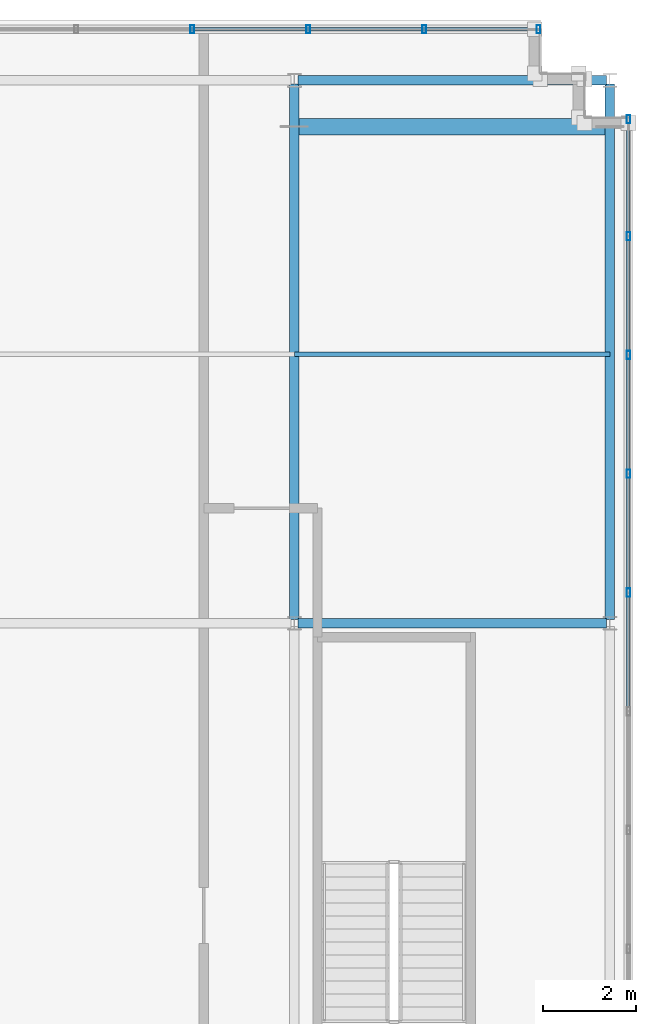
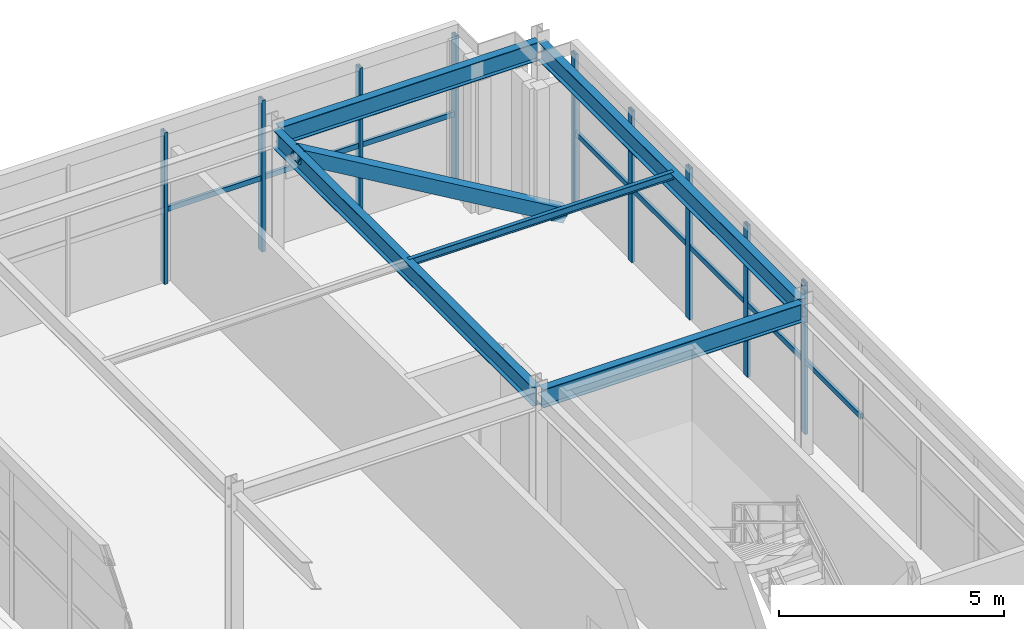
# One storey, part 19 of 28: 19 members, 4 beams, 2 elements without a shape of their own.
"""IFC4 building model written with IfcOpenShell, lengths in metres."""

from ifc_helpers import new_model, si_unit, direction, frame, origin, origin_2d, place, context, subcontext, project, spatial, hollow_rectangle, i_section, extrude, source, transform, mapped, material, material_profile, profile_set, type_object, element, aggregate, save


model = new_model("IFC4")

# Units and contexts
model_context = context("Model", 3, precision=1e-05, world=origin(), true_north=direction((0.0, 1.0)))
body_context = subcontext(model_context, "Body", "Model", "MODEL_VIEW")
ifc_project = project(units=[si_unit("LENGTHUNIT", "METRE"), si_unit("AREAUNIT", "SQUARE_METRE"), si_unit("VOLUMEUNIT", "CUBIC_METRE"), si_unit("PLANEANGLEUNIT", "RADIAN"), si_unit("MASSUNIT", "GRAM", prefix="KILO")], contexts=[model_context])

# Site, building, storey
site_placement = place(None, origin())
site = spatial("IfcSite", under=ifc_project, at=site_placement, CompositionType="ELEMENT")
building_placement = place(site_placement, origin())
building = spatial("IfcBuilding", under=site, at=building_placement, Name="Trelvane Seafront Commons", CompositionType="ELEMENT")
storey_placement = place(building_placement, frame((0.0, 0.0, 312.300048828125)))
storey = spatial("IfcBuildingStorey", under=building, at=storey_placement, Name="L81", CompositionType="ELEMENT", Elevation=312.300048828125)

# Beams
ifc_material_1 = material(Name="Steel SM355 (S355)", Category="steel")
ifc_material_profile_1 = material_profile(ifc_material_1, i_section(OverallWidth=0.199951171875, OverallDepth=0.5, WebThickness=0.010009765625, FlangeThickness=0.01611328125, at=origin_2d()), Name="H-500x200x10x16")
ifc_profile_set_1 = profile_set([ifc_material_profile_1], Name="Steel SM355 (S355)")
beam_type_1 = type_object("IfcBeamType", Name="STR-CROWN-FRAME-RING", PredefinedType="SPANDREL", material=ifc_profile_set_1)
shared_shape_1 = source(origin(), body_context, "Body", "SweptSolid", [
    extrude(i_section(OverallWidth=0.199951171875, OverallDepth=0.5, WebThickness=0.010009765625, FlangeThickness=0.01611328125, at=origin_2d()), origin(), (0.0, 0.0, 1.0), 6.64990234375),
])
for number, where, z_axis, x_axis, name in (
    (1, (58.875, 33.39990234375, 3.85986328125), (1.0, 0.0, 0.0), (0.0, 1.0, 0.0), "L81 CROWN FRAME Ring Beam G-08"),
    (2, (58.875, 45.10009765625, 3.85986328125), (1.0, 0.0, 0.0), (0.0, 1.0, 0.0), "L81 CROWN FRAME Ring Beam G-12"),
):
    element("IfcBeam", number, at=place(storey_placement, frame(where, z_axis=z_axis, x_axis=x_axis)), inside=storey, type_object=beam_type_1, Name=name, PredefinedType="SPANDREL", context=body_context, shape_type="MappedRepresentation", body=[
        mapped(shared_shape_1, transform((0.0, 0.0, 0.0), x_axis=(1.0, 0.0, 0.0), y_axis=(0.0, 1.0, 0.0), z_axis=(0.0, 0.0, 1.0), scale=1.0)),
    ])
ifc_material_profile_2 = material_profile(ifc_material_1, i_section(OverallWidth=0.199951171875, OverallDepth=0.5, WebThickness=0.010009765625, FlangeThickness=0.01611328125, at=origin_2d()), Name="H-500x200x10x16")
ifc_profile_set_2 = profile_set([ifc_material_profile_2], Name="Steel SM355 (S355)")
beam_type_2 = type_object("IfcBeamType", Name="STR-BM-H500", PredefinedType="BEAM", material=ifc_profile_set_2)
shared_shape_2 = source(origin(), body_context, "Body", "SweptSolid", [
    extrude(i_section(OverallWidth=0.199951171875, OverallDepth=0.5, WebThickness=0.010009765625, FlangeThickness=0.01611328125, at=origin_2d()), origin(), (0.0, 0.0, 1.0), 11.5498046875),
])
for number, where, z_axis, x_axis, name in (
    (3, (58.800048828125, 33.47509765625, 3.85986328125), (0.0, 1.0, 0.0), (-1.0, 0.0, 0.0), "L81 Primary Girder G-22"),
    (4, (65.60009765625, 33.47509765625, 3.85986328125), (0.0, 1.0, 0.0), (-1.0, 0.0, 0.0), "L81 Primary Girder G-24"),
):
    element("IfcBeam", number, at=place(storey_placement, frame(where, z_axis=z_axis, x_axis=x_axis)), inside=storey, type_object=beam_type_2, Name=name, PredefinedType="BEAM", context=body_context, shape_type="MappedRepresentation", body=[
        mapped(shared_shape_2, transform((0.0, 0.0, 0.0), x_axis=(1.0, 0.0, 0.0), y_axis=(0.0, 1.0, 0.0), z_axis=(0.0, 0.0, 1.0), scale=1.0)),
    ])

# Members
ifc_material_profile_3 = material_profile(ifc_material_1, i_section(OverallWidth=0.10009765625, OverallDepth=0.199951171875, WebThickness=0.005615234375, FlangeThickness=0.008056640625, at=origin_2d()), Name="H-200x100x5.5x8")
ifc_profile_set_3 = profile_set([ifc_material_profile_3], Name="Steel SM355 (S355)")
member_type_1 = type_object("IfcMemberType", Name="STR-PUR-H200", PredefinedType="PURLIN", material=ifc_profile_set_3)
shared_shape_3 = source(origin(), body_context, "Body", "SweptSolid", [
    extrude(i_section(OverallWidth=0.10009765625, OverallDepth=0.199951171875, WebThickness=0.005615234375, FlangeThickness=0.008056640625, at=origin_2d()), origin(), (0.0, 0.0, 1.0), 6.800048828125),
])
member_1_placement = place(storey_placement, frame((58.800048828125, 39.199951171875, 4.010009765625), z_axis=(1.0, 0.0, 0.0), x_axis=(0.0, 1.0, 0.0)))
element("IfcMember", 5, at=member_1_placement, inside=storey, type_object=member_type_1, Name="L81 Crown Roof Purlin PR-2", PredefinedType="PURLIN", context=body_context, shape_type="MappedRepresentation", body=[
    mapped(shared_shape_3, transform((0.0, 0.0, 0.0), x_axis=(1.0, 0.0, 0.0), y_axis=(0.0, 1.0, 0.0), z_axis=(0.0, 0.0, 1.0), scale=1.0)),
])
ifc_material_profile_4 = material_profile(ifc_material_1, hollow_rectangle(XDim=0.35009765625, YDim=0.35009765625, WallThickness=0.01611328125, at=origin_2d()), Name="RHS-350x350x16")
ifc_profile_set_4 = profile_set([ifc_material_profile_4], Name="Steel SM355 (S355)")
member_type_2 = type_object("IfcMemberType", Name="STR-BRC-RHS350", PredefinedType="BRACE", material=ifc_profile_set_4)
shared_shape_4 = source(origin(), body_context, "Body", "SweptSolid", [
    extrude(hollow_rectangle(XDim=0.35009765625, YDim=0.35009765625, WallThickness=0.01611328125, at=origin_2d()), origin(), (0.0, 0.0, 1.0), 7.88427734375),
])
member_2_placement = place(storey_placement, frame((65.60009765625, 44.10009765625, 0.0), z_axis=(-0.862490125065, 0.0, 0.506073892002), x_axis=(0.0, -1.0, 0.0)))
element("IfcMember", 6, at=member_2_placement, inside=storey, type_object=member_type_2, Name="L81 CROWN FRAME Diagonal Brace CE", PredefinedType="BRACE", context=body_context, shape_type="MappedRepresentation", body=[
    mapped(shared_shape_4, transform((0.0, 0.0, 0.0), x_axis=(1.0, 0.0, 0.0), y_axis=(0.0, 1.0, 0.0), z_axis=(0.0, 0.0, 1.0), scale=1.0)),
])

# Curtain wall, members
ifc_material_2 = material(Name="Anodised pale-silver aluminium", Category="aluminium")
curtain_wall_type = type_object("IfcCurtainWallType", Name="ARCH-CW6-CROWN", PredefinedType="NOTDEFINED", material=ifc_material_2)
curtain_wall_1_placement = place(storey_placement, origin())
curtain_wall_1 = element("IfcCurtainWall", 7, at=curtain_wall_1_placement, inside=storey, type_object=curtain_wall_type, Name="CW-L81-0149", PredefinedType="NOTDEFINED")
ifc_material_profile_5 = material_profile(ifc_material_2, hollow_rectangle(XDim=0.080078125, YDim=0.179931640625, WallThickness=0.00439453125, at=origin_2d()), Name="MULL-80x180x4.5")
ifc_profile_set_5 = profile_set([ifc_material_profile_5], Name="Anodised pale-silver aluminium")
member_type_3 = type_object("IfcMemberType", Name="ARCH-CW-MULL-180", PredefinedType="MULLION", material=ifc_profile_set_5)
shared_shape_5 = source(origin(), body_context, "Body", "SweptSolid", [
    extrude(hollow_rectangle(XDim=0.080078125, YDim=0.179931640625, WallThickness=0.00439453125, at=origin_2d()), origin(), (0.0, 0.0, 1.0), 4.10986328125),
])
member_3_placement = place(storey_placement, frame((56.60009765625, 46.199951171875, 0.0), z_axis=(0.0, 0.0, 1.0), x_axis=(1.0, 0.0, 0.0)))
member_3 = element("IfcMember", 8, at=member_3_placement, type_object=member_type_3, Name="CW-L81-0149-M03", PredefinedType="MULLION", context=body_context, shape_type="MappedRepresentation", body=[
    mapped(shared_shape_5, transform((0.0, 0.0, 0.0), x_axis=(1.0, 0.0, 0.0), y_axis=(0.0, 1.0, 0.0), z_axis=(0.0, 0.0, 1.0), scale=1.0)),
])
member_4_placement = place(storey_placement, frame((59.10009765625, 46.199951171875, 0.0), z_axis=(0.0, 0.0, 1.0), x_axis=(1.0, 0.0, 0.0)))
member_4 = element("IfcMember", 9, at=member_4_placement, type_object=member_type_3, Name="CW-L81-0149-M04", PredefinedType="MULLION", context=body_context, shape_type="MappedRepresentation", body=[
    mapped(shared_shape_5, transform((0.0, 0.0, 0.0), x_axis=(1.0, 0.0, 0.0), y_axis=(0.0, 1.0, 0.0), z_axis=(0.0, 0.0, 1.0), scale=1.0)),
])
member_5_placement = place(storey_placement, frame((61.60009765625, 46.199951171875, 0.0), z_axis=(0.0, 0.0, 1.0), x_axis=(1.0, 0.0, 0.0)))
member_5 = element("IfcMember", 10, at=member_5_placement, type_object=member_type_3, Name="CW-L81-0149-M05", PredefinedType="MULLION", context=body_context, shape_type="MappedRepresentation", body=[
    mapped(shared_shape_5, transform((0.0, 0.0, 0.0), x_axis=(1.0, 0.0, 0.0), y_axis=(0.0, 1.0, 0.0), z_axis=(0.0, 0.0, 1.0), scale=1.0)),
])
member_6_placement = place(storey_placement, frame((64.06005859375, 46.199951171875, 0.0), z_axis=(0.0, 0.0, 1.0), x_axis=(1.0, 0.0, 0.0)))
member_6 = element("IfcMember", 11, at=member_6_placement, type_object=member_type_3, Name="CW-L81-0149-M06", PredefinedType="MULLION", context=body_context, shape_type="MappedRepresentation", body=[
    mapped(shared_shape_5, transform((0.0, 0.0, 0.0), x_axis=(1.0, 0.0, 0.0), y_axis=(0.0, 1.0, 0.0), z_axis=(0.0, 0.0, 1.0), scale=1.0)),
])

curtain_wall_2_placement = place(storey_placement, origin())
curtain_wall_2 = element("IfcCurtainWall", 12, at=curtain_wall_2_placement, inside=storey, type_object=curtain_wall_type, Name="CW-L81-0150", PredefinedType="NOTDEFINED")
member_7_placement = place(storey_placement, frame((66.0, 44.260009765625, 0.0), z_axis=(0.0, 0.0, 1.0), x_axis=(1.0, 0.0, 0.0)))
member_7 = element("IfcMember", 13, at=member_7_placement, type_object=member_type_3, Name="CW-L81-0150-M00", PredefinedType="MULLION", context=body_context, shape_type="MappedRepresentation", body=[
    mapped(shared_shape_5, transform((0.0, 0.0, 0.0), x_axis=(1.0, 0.0, 0.0), y_axis=(0.0, 1.0, 0.0), z_axis=(0.0, 0.0, 1.0), scale=1.0)),
])
member_8_placement = place(storey_placement, frame((66.0, 41.739990234375, 0.0), z_axis=(0.0, 0.0, 1.0), x_axis=(1.0, 0.0, 0.0)))
member_8 = element("IfcMember", 14, at=member_8_placement, type_object=member_type_3, Name="CW-L81-0150-M01", PredefinedType="MULLION", context=body_context, shape_type="MappedRepresentation", body=[
    mapped(shared_shape_5, transform((0.0, 0.0, 0.0), x_axis=(1.0, 0.0, 0.0), y_axis=(0.0, 1.0, 0.0), z_axis=(0.0, 0.0, 1.0), scale=1.0)),
])
member_9_placement = place(storey_placement, frame((66.0, 39.179931640625, 0.0), z_axis=(0.0, 0.0, 1.0), x_axis=(1.0, 0.0, 0.0)))
member_9 = element("IfcMember", 15, at=member_9_placement, type_object=member_type_3, Name="CW-L81-0150-M02", PredefinedType="MULLION", context=body_context, shape_type="MappedRepresentation", body=[
    mapped(shared_shape_5, transform((0.0, 0.0, 0.0), x_axis=(1.0, 0.0, 0.0), y_axis=(0.0, 1.0, 0.0), z_axis=(0.0, 0.0, 1.0), scale=1.0)),
])
member_10_placement = place(storey_placement, frame((66.0, 36.6201171875, 0.0), z_axis=(0.0, 0.0, 1.0), x_axis=(1.0, 0.0, 0.0)))
member_10 = element("IfcMember", 16, at=member_10_placement, type_object=member_type_3, Name="CW-L81-0150-M03", PredefinedType="MULLION", context=body_context, shape_type="MappedRepresentation", body=[
    mapped(shared_shape_5, transform((0.0, 0.0, 0.0), x_axis=(1.0, 0.0, 0.0), y_axis=(0.0, 1.0, 0.0), z_axis=(0.0, 0.0, 1.0), scale=1.0)),
])
member_11_placement = place(storey_placement, frame((66.0, 34.06005859375, 0.0), z_axis=(0.0, 0.0, 1.0), x_axis=(1.0, 0.0, 0.0)))
member_11 = element("IfcMember", 17, at=member_11_placement, type_object=member_type_3, Name="CW-L81-0150-M04", PredefinedType="MULLION", context=body_context, shape_type="MappedRepresentation", body=[
    mapped(shared_shape_5, transform((0.0, 0.0, 0.0), x_axis=(1.0, 0.0, 0.0), y_axis=(0.0, 1.0, 0.0), z_axis=(0.0, 0.0, 1.0), scale=1.0)),
])
ifc_material_profile_6 = material_profile(ifc_material_2, hollow_rectangle(XDim=0.074951171875, YDim=0.139892578125, WallThickness=0.00390625, at=origin_2d()), Name="TRAN-75x140x4")
ifc_profile_set_6 = profile_set([ifc_material_profile_6], Name="Anodised pale-silver aluminium")
member_type_4 = type_object("IfcMemberType", Name="ARCH-CW-TRAN-140", PredefinedType="USERDEFINED", material=ifc_profile_set_6)
shared_shape_6 = source(origin(), body_context, "Body", "SweptSolid", [
    extrude(hollow_rectangle(XDim=0.074951171875, YDim=0.139892578125, WallThickness=0.00390625, at=origin_2d()), origin(), (0.0, 0.0, 1.0), 2.5361328125),
])
member_12_placement = place(storey_placement, frame((66.0, 44.2880859375, 1.972900390625), z_axis=(0.0, -1.0, 0.0), x_axis=(1.0, 0.0, 0.0)))
member_12 = element("IfcMember", 18, at=member_12_placement, type_object=member_type_4, Name="CW-L81-0150-T00", ObjectType="TRANSOM", PredefinedType="USERDEFINED", context=body_context, shape_type="MappedRepresentation", body=[
    mapped(shared_shape_6, transform((0.0, 0.0, 0.0), x_axis=(1.0, 0.0, 0.0), y_axis=(0.0, 1.0, 0.0), z_axis=(0.0, 0.0, 1.0), scale=1.0)),
])
member_13_placement = place(storey_placement, frame((66.0, 41.72802734375, 1.972900390625), z_axis=(0.0, -1.0, 0.0), x_axis=(1.0, 0.0, 0.0)))
member_13 = element("IfcMember", 19, at=member_13_placement, type_object=member_type_4, Name="CW-L81-0150-T01", ObjectType="TRANSOM", PredefinedType="USERDEFINED", context=body_context, shape_type="MappedRepresentation", body=[
    mapped(shared_shape_6, transform((0.0, 0.0, 0.0), x_axis=(1.0, 0.0, 0.0), y_axis=(0.0, 1.0, 0.0), z_axis=(0.0, 0.0, 1.0), scale=1.0)),
])
member_14_placement = place(storey_placement, frame((66.0, 34.048095703125, 1.972900390625), z_axis=(0.0, -1.0, 0.0), x_axis=(1.0, 0.0, 0.0)))
member_14 = element("IfcMember", 20, at=member_14_placement, type_object=member_type_4, Name="CW-L81-0150-T04", ObjectType="TRANSOM", PredefinedType="USERDEFINED", context=body_context, shape_type="MappedRepresentation", body=[
    mapped(shared_shape_6, transform((0.0, 0.0, 0.0), x_axis=(1.0, 0.0, 0.0), y_axis=(0.0, 1.0, 0.0), z_axis=(0.0, 0.0, 1.0), scale=1.0)),
])
shared_shape_7 = source(origin(), body_context, "Body", "SweptSolid", [
    extrude(hollow_rectangle(XDim=0.074951171875, YDim=0.139892578125, WallThickness=0.00390625, at=origin_2d()), origin(), (0.0, 0.0, 1.0), 2.535888671875),
])
member_15_placement = place(storey_placement, frame((66.0, 39.16796875, 1.972900390625), z_axis=(0.0, -1.0, 0.0), x_axis=(1.0, 0.0, 0.0)))
member_15 = element("IfcMember", 21, at=member_15_placement, type_object=member_type_4, Name="CW-L81-0150-T02", ObjectType="TRANSOM", PredefinedType="USERDEFINED", context=body_context, shape_type="MappedRepresentation", body=[
    mapped(shared_shape_7, transform((0.0, 0.0, 0.0), x_axis=(1.0, 0.0, 0.0), y_axis=(0.0, 1.0, 0.0), z_axis=(0.0, 0.0, 1.0), scale=1.0)),
])
member_16_placement = place(storey_placement, frame((66.0, 36.60791015625, 1.972900390625), z_axis=(0.0, -1.0, 0.0), x_axis=(1.0, 0.0, 0.0)))
member_16 = element("IfcMember", 22, at=member_16_placement, type_object=member_type_4, Name="CW-L81-0150-T03", ObjectType="TRANSOM", PredefinedType="USERDEFINED", context=body_context, shape_type="MappedRepresentation", body=[
    mapped(shared_shape_7, transform((0.0, 0.0, 0.0), x_axis=(1.0, 0.0, 0.0), y_axis=(0.0, 1.0, 0.0), z_axis=(0.0, 0.0, 1.0), scale=1.0)),
])
aggregate(curtain_wall_2, [member_7, member_8, member_9, member_10, member_11, member_12, member_13, member_15, member_16, member_14])

# Member
shared_shape_8 = source(origin(), body_context, "Body", "SweptSolid", [
    extrude(hollow_rectangle(XDim=0.074951171875, YDim=0.139892578125, WallThickness=0.00390625, at=origin_2d()), origin(), (0.0, 0.0, 1.0), 2.475830078125),
])
member_17_placement = place(storey_placement, frame((56.612060546875, 46.199951171875, 1.972900390625), z_axis=(1.0, 0.0, 0.0), x_axis=(0.0, 1.0, 0.0)))
member_17 = element("IfcMember", 23, at=member_17_placement, type_object=member_type_4, Name="CW-L81-0149-T03", ObjectType="TRANSOM", PredefinedType="USERDEFINED", context=body_context, shape_type="MappedRepresentation", body=[
    mapped(shared_shape_8, transform((0.0, 0.0, 0.0), x_axis=(1.0, 0.0, 0.0), y_axis=(0.0, 1.0, 0.0), z_axis=(0.0, 0.0, 1.0), scale=1.0)),
])

member_18_placement = place(storey_placement, frame((59.112060546875, 46.199951171875, 1.972900390625), z_axis=(1.0, 0.0, 0.0), x_axis=(0.0, 1.0, 0.0)))
member_18 = element("IfcMember", 24, at=member_18_placement, type_object=member_type_4, Name="CW-L81-0149-T04", ObjectType="TRANSOM", PredefinedType="USERDEFINED", context=body_context, shape_type="MappedRepresentation", body=[
    mapped(shared_shape_8, transform((0.0, 0.0, 0.0), x_axis=(1.0, 0.0, 0.0), y_axis=(0.0, 1.0, 0.0), z_axis=(0.0, 0.0, 1.0), scale=1.0)),
])

member_19_placement = place(storey_placement, frame((61.612060546875, 46.199951171875, 1.972900390625), z_axis=(1.0, 0.0, 0.0), x_axis=(0.0, 1.0, 0.0)))
member_19 = element("IfcMember", 25, at=member_19_placement, type_object=member_type_4, Name="CW-L81-0149-T05", ObjectType="TRANSOM", PredefinedType="USERDEFINED", context=body_context, shape_type="MappedRepresentation", body=[
    mapped(shared_shape_8, transform((0.0, 0.0, 0.0), x_axis=(1.0, 0.0, 0.0), y_axis=(0.0, 1.0, 0.0), z_axis=(0.0, 0.0, 1.0), scale=1.0)),
])

aggregate(curtain_wall_1, [member_3, member_4, member_5, member_6, member_17, member_18, member_19])

save(model, "model.ifc")
